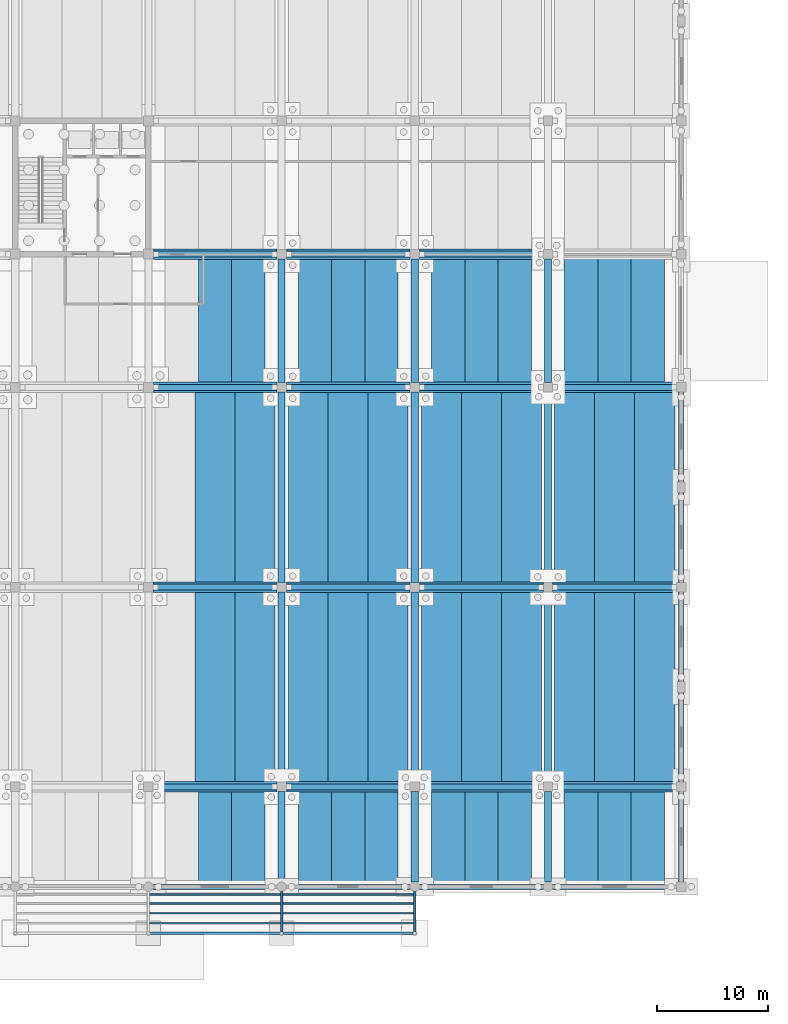
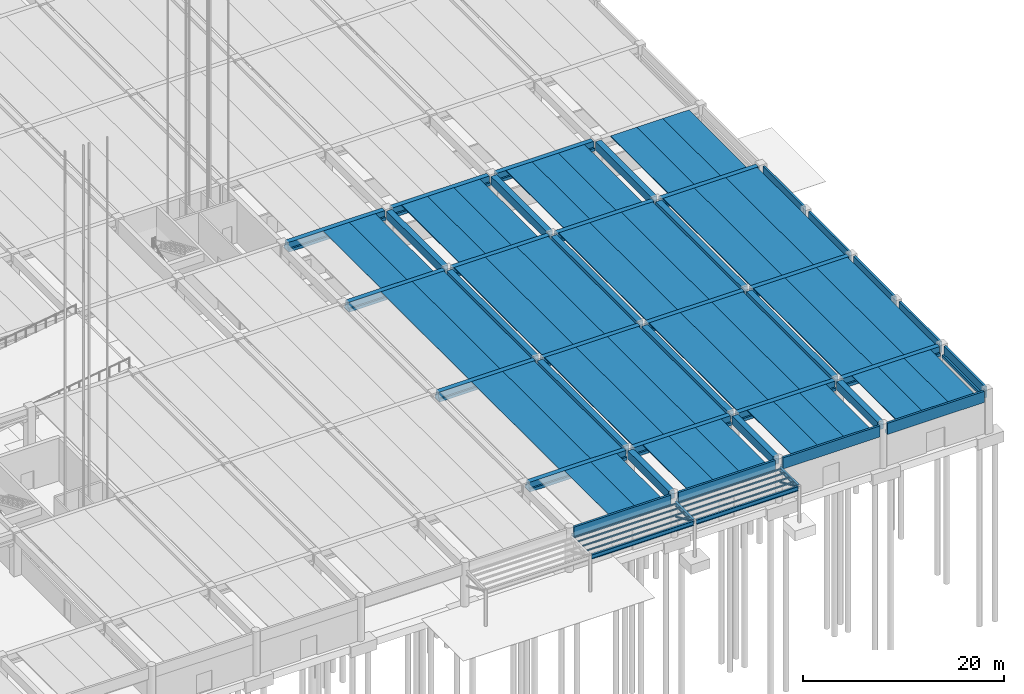
# One storey, part 22 of 59: 84 beams, 10 members.
"""IFC4 building model written with IfcOpenShell, lengths in metres."""

from ifc_helpers import new_model, si_unit, direction, frame, origin, origin_2d, place, context, subcontext, project, spatial, polyline, rectangle, hollow_rectangle, hollow_circle, i_section, outline, extrude, material, material_profile, profile_set, type_object, element, save


model = new_model("IFC4")

# Units and contexts
model_context = context("Model", 3, precision=1e-05, world=origin(), true_north=direction((0.0, 1.0)))
body_context = subcontext(model_context, "Body", "Model", "MODEL_VIEW")
ifc_project = project(units=[si_unit("LENGTHUNIT", "METRE"), si_unit("AREAUNIT", "SQUARE_METRE"), si_unit("VOLUMEUNIT", "CUBIC_METRE"), si_unit("PLANEANGLEUNIT", "RADIAN"), si_unit("MASSUNIT", "GRAM", prefix="KILO")], contexts=[model_context])

# Site, building, storey
site_placement = place(None, origin())
site = spatial("IfcSite", under=ifc_project, at=site_placement, CompositionType="ELEMENT")
building_placement = place(site_placement, origin())
building = spatial("IfcBuilding", under=site, at=building_placement, Name="Girod Span Mobility Hub", CompositionType="ELEMENT")
storey_placement = place(building_placement, origin())
storey = spatial("IfcBuildingStorey", under=building, at=storey_placement, Name="L00", CompositionType="ELEMENT", Elevation=0.0)

# Beams
ifc_material_1 = material(Name="Concrete C50/60", Category="concrete")
ifc_material_profile_1 = material_profile(ifc_material_1, outline(polyline([(-1.5, 0.35009765625), (-1.5, 0.2548828125), (-0.840087890625, 0.2548828125), (-0.81494140625, -0.35009765625), (-0.68505859375, -0.35009765625), (-0.659912109375, 0.2548828125), (0.659912109375, 0.2548828125), (0.68505859375, -0.35009765625), (0.81494140625, -0.35009765625), (0.840087890625, 0.2548828125), (1.5, 0.2548828125), (1.5, 0.35009765625), (-1.5, 0.35009765625)])), Name="DT-3000X700")
ifc_profile_set_1 = profile_set([ifc_material_profile_1], Name="Concrete C50/60")
beam_type_1 = type_object("IfcBeamType", Name="BM-DT-3000X700", PredefinedType="JOIST", material=ifc_profile_set_1)
for number, where, z_axis, x_axis, name in (
    (1, (126.0, 0.02197265625, 4.85009765625), (0.0, 1.0, 0.0), (-1.0, 0.0, 0.0), "Double-Tee Deck 11/A-2 L00"),
    (2, (129.0, 0.02197265625, 4.85009765625), (0.0, 1.0, 0.0), (-1.0, 0.0, 0.0), "Double-Tee Deck 11/A-3 L00"),
):
    element("IfcBeam", number, at=place(storey_placement, frame(where, z_axis=z_axis, x_axis=x_axis)), inside=storey, type_object=beam_type_1, Name=name, PredefinedType="JOIST", context=body_context, shape_type="SweptSolid", body=[
        extrude(outline(polyline([(-1.5, 0.35009765625), (-1.5, 0.2548828125), (-0.840087890625, 0.2548828125), (-0.81494140625, -0.35009765625), (-0.68505859375, -0.35009765625), (-0.659912109375, 0.2548828125), (0.659912109375, 0.2548828125), (0.68505859375, -0.35009765625), (0.81494140625, -0.35009765625), (0.840087890625, 0.2548828125), (1.5, 0.2548828125), (1.5, 0.35009765625), (-1.5, 0.35009765625)])), origin(), (0.0, 0.0, 1.0), 8.7060546875),
    ])
for number, where, z_axis, x_axis, name in (
    (3, (126.0, 45.27197265625, 4.85009765625), (0.0, 1.0, 0.0), (-1.0, 0.0, 0.0), "Double-Tee Deck 11/D-2 L00"),
    (4, (129.0, 45.27197265625, 4.85009765625), (0.0, 1.0, 0.0), (-1.0, 0.0, 0.0), "Double-Tee Deck 11/D-3 L00"),
):
    element("IfcBeam", number, at=place(storey_placement, frame(where, z_axis=z_axis, x_axis=x_axis)), inside=storey, type_object=beam_type_1, Name=name, PredefinedType="JOIST", context=body_context, shape_type="SweptSolid", body=[
        extrude(outline(polyline([(-1.5, 0.35009765625), (-1.5, 0.2548828125), (-0.840087890625, 0.2548828125), (-0.81494140625, -0.35009765625), (-0.68505859375, -0.35009765625), (-0.659912109375, 0.2548828125), (0.659912109375, 0.2548828125), (0.68505859375, -0.35009765625), (0.81494140625, -0.35009765625), (0.840087890625, 0.2548828125), (1.5, 0.2548828125), (1.5, 0.35009765625), (-1.5, 0.35009765625)])), origin(), (0.0, 0.0, 1.0), 11.4560546875),
    ])
for number, where, z_axis, x_axis, name in (
    (5, (135.0, 0.02197265625, 4.85009765625), (0.0, 1.0, 0.0), (-1.0, 0.0, 0.0), "Double-Tee Deck 12/A-1 L00"),
    (6, (138.0, 0.02197265625, 4.85009765625), (0.0, 1.0, 0.0), (-1.0, 0.0, 0.0), "Double-Tee Deck 12/A-2 L00"),
    (7, (141.0, 0.02197265625, 4.85009765625), (0.0, 1.0, 0.0), (-1.0, 0.0, 0.0), "Double-Tee Deck 12/A-3 L00"),
):
    element("IfcBeam", number, at=place(storey_placement, frame(where, z_axis=z_axis, x_axis=x_axis)), inside=storey, type_object=beam_type_1, Name=name, PredefinedType="JOIST", context=body_context, shape_type="SweptSolid", body=[
        extrude(outline(polyline([(-1.5, 0.35009765625), (-1.5, 0.2548828125), (-0.840087890625, 0.2548828125), (-0.81494140625, -0.35009765625), (-0.68505859375, -0.35009765625), (-0.659912109375, 0.2548828125), (0.659912109375, 0.2548828125), (0.68505859375, -0.35009765625), (0.81494140625, -0.35009765625), (0.840087890625, 0.2548828125), (1.5, 0.2548828125), (1.5, 0.35009765625), (-1.5, 0.35009765625)])), origin(), (0.0, 0.0, 1.0), 8.7060546875),
    ])
for number, where, z_axis, x_axis, name in (
    (8, (135.0, 45.27197265625, 4.85009765625), (0.0, 1.0, 0.0), (-1.0, 0.0, 0.0), "Double-Tee Deck 12/D-1 L00"),
    (9, (138.0, 45.27197265625, 4.85009765625), (0.0, 1.0, 0.0), (-1.0, 0.0, 0.0), "Double-Tee Deck 12/D-2 L00"),
    (10, (141.0, 45.27197265625, 4.85009765625), (0.0, 1.0, 0.0), (-1.0, 0.0, 0.0), "Double-Tee Deck 12/D-3 L00"),
):
    element("IfcBeam", number, at=place(storey_placement, frame(where, z_axis=z_axis, x_axis=x_axis)), inside=storey, type_object=beam_type_1, Name=name, PredefinedType="JOIST", context=body_context, shape_type="SweptSolid", body=[
        extrude(outline(polyline([(-1.5, 0.35009765625), (-1.5, 0.2548828125), (-0.840087890625, 0.2548828125), (-0.81494140625, -0.35009765625), (-0.68505859375, -0.35009765625), (-0.659912109375, 0.2548828125), (0.659912109375, 0.2548828125), (0.68505859375, -0.35009765625), (0.81494140625, -0.35009765625), (0.840087890625, 0.2548828125), (1.5, 0.2548828125), (1.5, 0.35009765625), (-1.5, 0.35009765625)])), origin(), (0.0, 0.0, 1.0), 11.4560546875),
    ])
for number, where, z_axis, x_axis, name in (
    (11, (147.0, 0.02197265625, 4.85009765625), (0.0, 1.0, 0.0), (-1.0, 0.0, 0.0), "Double-Tee Deck 13/A-1 L00"),
    (12, (150.0, 0.02197265625, 4.85009765625), (0.0, 1.0, 0.0), (-1.0, 0.0, 0.0), "Double-Tee Deck 13/A-2 L00"),
    (13, (153.0, 0.02197265625, 4.85009765625), (0.0, 1.0, 0.0), (-1.0, 0.0, 0.0), "Double-Tee Deck 13/A-3 L00"),
):
    element("IfcBeam", number, at=place(storey_placement, frame(where, z_axis=z_axis, x_axis=x_axis)), inside=storey, type_object=beam_type_1, Name=name, PredefinedType="JOIST", context=body_context, shape_type="SweptSolid", body=[
        extrude(outline(polyline([(-1.5, 0.35009765625), (-1.5, 0.2548828125), (-0.840087890625, 0.2548828125), (-0.81494140625, -0.35009765625), (-0.68505859375, -0.35009765625), (-0.659912109375, 0.2548828125), (0.659912109375, 0.2548828125), (0.68505859375, -0.35009765625), (0.81494140625, -0.35009765625), (0.840087890625, 0.2548828125), (1.5, 0.2548828125), (1.5, 0.35009765625), (-1.5, 0.35009765625)])), origin(), (0.0, 0.0, 1.0), 8.7060546875),
    ])
for number, where, z_axis, x_axis, name in (
    (14, (147.0, 45.27197265625, 4.85009765625), (0.0, 1.0, 0.0), (-1.0, 0.0, 0.0), "Double-Tee Deck 13/D-1 L00"),
    (15, (150.0, 45.27197265625, 4.85009765625), (0.0, 1.0, 0.0), (-1.0, 0.0, 0.0), "Double-Tee Deck 13/D-2 L00"),
    (16, (153.0, 45.27197265625, 4.85009765625), (0.0, 1.0, 0.0), (-1.0, 0.0, 0.0), "Double-Tee Deck 13/D-3 L00"),
):
    element("IfcBeam", number, at=place(storey_placement, frame(where, z_axis=z_axis, x_axis=x_axis)), inside=storey, type_object=beam_type_1, Name=name, PredefinedType="JOIST", context=body_context, shape_type="SweptSolid", body=[
        extrude(outline(polyline([(-1.5, 0.35009765625), (-1.5, 0.2548828125), (-0.840087890625, 0.2548828125), (-0.81494140625, -0.35009765625), (-0.68505859375, -0.35009765625), (-0.659912109375, 0.2548828125), (0.659912109375, 0.2548828125), (0.68505859375, -0.35009765625), (0.81494140625, -0.35009765625), (0.840087890625, 0.2548828125), (1.5, 0.2548828125), (1.5, 0.35009765625), (-1.5, 0.35009765625)])), origin(), (0.0, 0.0, 1.0), 11.4560546875),
    ])
for number, where, z_axis, x_axis, name in (
    (17, (159.0, 0.02197265625, 4.85009765625), (0.0, 1.0, 0.0), (-1.0, 0.0, 0.0), "Double-Tee Deck 14/A-1 L00"),
    (18, (162.0, 0.02197265625, 4.85009765625), (0.0, 1.0, 0.0), (-1.0, 0.0, 0.0), "Double-Tee Deck 14/A-2 L00"),
    (19, (165.0, 0.02197265625, 4.85009765625), (0.0, 1.0, 0.0), (-1.0, 0.0, 0.0), "Double-Tee Deck 14/A-3 L00"),
):
    element("IfcBeam", number, at=place(storey_placement, frame(where, z_axis=z_axis, x_axis=x_axis)), inside=storey, type_object=beam_type_1, Name=name, PredefinedType="JOIST", context=body_context, shape_type="SweptSolid", body=[
        extrude(outline(polyline([(-1.5, 0.35009765625), (-1.5, 0.2548828125), (-0.840087890625, 0.2548828125), (-0.81494140625, -0.35009765625), (-0.68505859375, -0.35009765625), (-0.659912109375, 0.2548828125), (0.659912109375, 0.2548828125), (0.68505859375, -0.35009765625), (0.81494140625, -0.35009765625), (0.840087890625, 0.2548828125), (1.5, 0.2548828125), (1.5, 0.35009765625), (-1.5, 0.35009765625)])), origin(), (0.0, 0.0, 1.0), 8.7060546875),
    ])
for number, where, z_axis, x_axis, name in (
    (20, (159.0, 45.27197265625, 4.85009765625), (0.0, 1.0, 0.0), (-1.0, 0.0, 0.0), "Double-Tee Deck 14/D-1 L00"),
    (21, (162.0, 45.27197265625, 4.85009765625), (0.0, 1.0, 0.0), (-1.0, 0.0, 0.0), "Double-Tee Deck 14/D-2 L00"),
    (22, (165.0, 45.27197265625, 4.85009765625), (0.0, 1.0, 0.0), (-1.0, 0.0, 0.0), "Double-Tee Deck 14/D-3 L00"),
):
    element("IfcBeam", number, at=place(storey_placement, frame(where, z_axis=z_axis, x_axis=x_axis)), inside=storey, type_object=beam_type_1, Name=name, PredefinedType="JOIST", context=body_context, shape_type="SweptSolid", body=[
        extrude(outline(polyline([(-1.5, 0.35009765625), (-1.5, 0.2548828125), (-0.840087890625, 0.2548828125), (-0.81494140625, -0.35009765625), (-0.68505859375, -0.35009765625), (-0.659912109375, 0.2548828125), (0.659912109375, 0.2548828125), (0.68505859375, -0.35009765625), (0.81494140625, -0.35009765625), (0.840087890625, 0.2548828125), (1.5, 0.2548828125), (1.5, 0.35009765625), (-1.5, 0.35009765625)])), origin(), (0.0, 0.0, 1.0), 11.4560546875),
    ])
ifc_material_2 = material(Name="Concrete C50/60", Category="concrete")
ifc_material_profile_2 = material_profile(ifc_material_2, outline(polyline([(-1.800048828125, 0.47509765625), (-1.800048828125, 0.364990234375), (-1.010009765625, 0.364990234375), (-0.97509765625, -0.47509765625), (-0.824951171875, -0.47509765625), (-0.7900390625, 0.364990234375), (0.7900390625, 0.364990234375), (0.824951171875, -0.47509765625), (0.97509765625, -0.47509765625), (1.010009765625, 0.364990234375), (1.800048828125, 0.364990234375), (1.800048828125, 0.47509765625), (-1.800048828125, 0.47509765625)])), Name="DT-3600X950")
ifc_profile_set_2 = profile_set([ifc_material_profile_2], Name="Concrete C50/60")
beam_type_2 = type_object("IfcBeamType", Name="BM-DT-3600X950", PredefinedType="JOIST", material=ifc_profile_set_2)
for number, where, z_axis, x_axis, name in (
    (23, (126.0, 9.27197265625, 4.72509765625), (0.0, 1.0, 0.0), (-1.0, 0.0, 0.0), "Double-Tee Deck 11/B-2 L00"),
    (24, (129.60009765625, 9.27197265625, 4.72509765625), (0.0, 1.0, 0.0), (-1.0, 0.0, 0.0), "Double-Tee Deck 11/B-3 L00"),
    (25, (126.0, 27.27197265625, 4.72509765625), (0.0, 1.0, 0.0), (-1.0, 0.0, 0.0), "Double-Tee Deck 11/C-2 L00"),
    (26, (129.60009765625, 27.27197265625, 4.72509765625), (0.0, 1.0, 0.0), (-1.0, 0.0, 0.0), "Double-Tee Deck 11/C-3 L00"),
    (27, (134.39990234375, 9.27197265625, 4.72509765625), (0.0, 1.0, 0.0), (-1.0, 0.0, 0.0), "Double-Tee Deck 12/B-1 L00"),
    (28, (138.0, 9.27197265625, 4.72509765625), (0.0, 1.0, 0.0), (-1.0, 0.0, 0.0), "Double-Tee Deck 12/B-2 L00"),
    (29, (141.60009765625, 9.27197265625, 4.72509765625), (0.0, 1.0, 0.0), (-1.0, 0.0, 0.0), "Double-Tee Deck 12/B-3 L00"),
    (30, (134.39990234375, 27.27197265625, 4.72509765625), (0.0, 1.0, 0.0), (-1.0, 0.0, 0.0), "Double-Tee Deck 12/C-1 L00"),
    (31, (138.0, 27.27197265625, 4.72509765625), (0.0, 1.0, 0.0), (-1.0, 0.0, 0.0), "Double-Tee Deck 12/C-2 L00"),
    (32, (141.60009765625, 27.27197265625, 4.72509765625), (0.0, 1.0, 0.0), (-1.0, 0.0, 0.0), "Double-Tee Deck 12/C-3 L00"),
    (33, (146.39990234375, 9.27197265625, 4.72509765625), (0.0, 1.0, 0.0), (-1.0, 0.0, 0.0), "Double-Tee Deck 13/B-1 L00"),
    (34, (150.0, 9.27197265625, 4.72509765625), (0.0, 1.0, 0.0), (-1.0, 0.0, 0.0), "Double-Tee Deck 13/B-2 L00"),
    (35, (153.60009765625, 9.27197265625, 4.72509765625), (0.0, 1.0, 0.0), (-1.0, 0.0, 0.0), "Double-Tee Deck 13/B-3 L00"),
    (36, (146.39990234375, 27.27197265625, 4.72509765625), (0.0, 1.0, 0.0), (-1.0, 0.0, 0.0), "Double-Tee Deck 13/C-1 L00"),
    (37, (150.0, 27.27197265625, 4.72509765625), (0.0, 1.0, 0.0), (-1.0, 0.0, 0.0), "Double-Tee Deck 13/C-2 L00"),
    (38, (153.60009765625, 27.27197265625, 4.72509765625), (0.0, 1.0, 0.0), (-1.0, 0.0, 0.0), "Double-Tee Deck 13/C-3 L00"),
    (39, (158.39990234375, 9.27197265625, 4.72509765625), (0.0, 1.0, 0.0), (-1.0, 0.0, 0.0), "Double-Tee Deck 14/B-1 L00"),
    (40, (162.0, 9.27197265625, 4.72509765625), (0.0, 1.0, 0.0), (-1.0, 0.0, 0.0), "Double-Tee Deck 14/B-2 L00"),
    (41, (165.60009765625, 9.27197265625, 4.72509765625), (0.0, 1.0, 0.0), (-1.0, 0.0, 0.0), "Double-Tee Deck 14/B-3 L00"),
    (42, (158.39990234375, 27.27197265625, 4.72509765625), (0.0, 1.0, 0.0), (-1.0, 0.0, 0.0), "Double-Tee Deck 14/C-1 L00"),
    (43, (162.0, 27.27197265625, 4.72509765625), (0.0, 1.0, 0.0), (-1.0, 0.0, 0.0), "Double-Tee Deck 14/C-2 L00"),
    (44, (165.60009765625, 27.27197265625, 4.72509765625), (0.0, 1.0, 0.0), (-1.0, 0.0, 0.0), "Double-Tee Deck 14/C-3 L00"),
):
    element("IfcBeam", number, at=place(storey_placement, frame(where, z_axis=z_axis, x_axis=x_axis)), inside=storey, type_object=beam_type_2, Name=name, PredefinedType="JOIST", context=body_context, shape_type="SweptSolid", body=[
        extrude(outline(polyline([(-1.800048828125, 0.47509765625), (-1.800048828125, 0.364990234375), (-1.010009765625, 0.364990234375), (-0.97509765625, -0.47509765625), (-0.824951171875, -0.47509765625), (-0.7900390625, 0.364990234375), (0.7900390625, 0.364990234375), (0.824951171875, -0.47509765625), (0.97509765625, -0.47509765625), (1.010009765625, 0.364990234375), (1.800048828125, 0.364990234375), (1.800048828125, 0.47509765625), (-1.800048828125, 0.47509765625)])), origin(), (0.0, 0.0, 1.0), 17.4560546875),
    ])
ifc_material_3 = material(Name="Concrete C50/60", Category="concrete")
ifc_material_profile_3 = material_profile(ifc_material_3, outline(polyline([(-0.47509765625, -0.52490234375), (0.47509765625, -0.52490234375), (0.47509765625, -0.175048828125), (0.27490234375, -0.175048828125), (0.27490234375, 0.52490234375), (-0.27490234375, 0.52490234375), (-0.27490234375, -0.175048828125), (-0.47509765625, -0.175048828125), (-0.47509765625, -0.52490234375)])), Name="IT-950X1050")
ifc_profile_set_3 = profile_set([ifc_material_profile_3], Name="Concrete C50/60")
beam_type_3 = type_object("IfcBeamType", Name="BM-IT-950X1050", PredefinedType="T_BEAM", material=ifc_profile_set_3)
for number, where, z_axis, x_axis, name in (
    (45, (120.422119140625, 9.0, 4.675048828125), (1.0, 0.0, 0.0), (0.0, 1.0, 0.0), "Girder 11-12/B L00"),
    (46, (132.422119140625, 9.0, 4.675048828125), (1.0, 0.0, 0.0), (0.0, 1.0, 0.0), "Girder 12-13/B L00"),
    (47, (144.422119140625, 9.0, 4.675048828125), (1.0, 0.0, 0.0), (0.0, 1.0, 0.0), "Girder 13-14/B L00"),
    (48, (156.422119140625, 9.0, 4.675048828125), (1.0, 0.0, 0.0), (0.0, 1.0, 0.0), "Girder 14-15/B L00"),
    (49, (120.422119140625, 27.0, 4.675048828125), (1.0, 0.0, 0.0), (0.0, 1.0, 0.0), "Girder 11-12/C L00"),
    (50, (132.422119140625, 27.0, 4.675048828125), (1.0, 0.0, 0.0), (0.0, 1.0, 0.0), "Girder 12-13/C L00"),
    (51, (144.422119140625, 27.0, 4.675048828125), (1.0, 0.0, 0.0), (0.0, 1.0, 0.0), "Girder 13-14/C L00"),
    (52, (156.422119140625, 27.0, 4.675048828125), (1.0, 0.0, 0.0), (0.0, 1.0, 0.0), "Girder 14-15/C L00"),
):
    element("IfcBeam", number, at=place(storey_placement, frame(where, z_axis=z_axis, x_axis=x_axis)), inside=storey, type_object=beam_type_3, Name=name, PredefinedType="T_BEAM", context=body_context, shape_type="SweptSolid", body=[
        extrude(outline(polyline([(-0.47509765625, -0.52490234375), (0.47509765625, -0.52490234375), (0.47509765625, -0.175048828125), (0.27490234375, -0.175048828125), (0.27490234375, 0.52490234375), (-0.27490234375, 0.52490234375), (-0.27490234375, -0.175048828125), (-0.47509765625, -0.175048828125), (-0.47509765625, -0.52490234375)])), origin(), (0.0, 0.0, 1.0), 11.15576171875),
    ])
beam_1_placement = place(storey_placement, frame((120.447021484375, 45.0, 4.675048828125), z_axis=(1.0, 0.0, 0.0), x_axis=(0.0, 1.0, 0.0)))
element("IfcBeam", 53, at=beam_1_placement, inside=storey, type_object=beam_type_3, Name="Girder 11-12/D L00", PredefinedType="T_BEAM", context=body_context, shape_type="SweptSolid", body=[
    extrude(outline(polyline([(-0.47509765625, -0.52490234375), (0.47509765625, -0.52490234375), (0.47509765625, -0.175048828125), (0.27490234375, -0.175048828125), (0.27490234375, 0.52490234375), (-0.27490234375, 0.52490234375), (-0.27490234375, -0.175048828125), (-0.47509765625, -0.175048828125), (-0.47509765625, -0.52490234375)])), origin(), (0.0, 0.0, 1.0), 11.130859375),
])
for number, where, z_axis, x_axis, name in (
    (54, (132.422119140625, 45.0, 4.675048828125), (1.0, 0.0, 0.0), (0.0, 1.0, 0.0), "Girder 12-13/D L00"),
    (55, (144.422119140625, 45.0, 4.675048828125), (1.0, 0.0, 0.0), (0.0, 1.0, 0.0), "Girder 13-14/D L00"),
    (56, (156.422119140625, 45.0, 4.675048828125), (1.0, 0.0, 0.0), (0.0, 1.0, 0.0), "Girder 14-15/D L00"),
):
    element("IfcBeam", number, at=place(storey_placement, frame(where, z_axis=z_axis, x_axis=x_axis)), inside=storey, type_object=beam_type_3, Name=name, PredefinedType="T_BEAM", context=body_context, shape_type="SweptSolid", body=[
        extrude(outline(polyline([(-0.47509765625, -0.52490234375), (0.47509765625, -0.52490234375), (0.47509765625, -0.175048828125), (0.27490234375, -0.175048828125), (0.27490234375, 0.52490234375), (-0.27490234375, 0.52490234375), (-0.27490234375, -0.175048828125), (-0.47509765625, -0.175048828125), (-0.47509765625, -0.52490234375)])), origin(), (0.0, 0.0, 1.0), 11.15576171875),
    ])
beam_2_placement = place(storey_placement, frame((120.447021484375, 57.0, 4.675048828125), z_axis=(1.0, 0.0, 0.0), x_axis=(0.0, 1.0, 0.0)))
element("IfcBeam", 57, at=beam_2_placement, inside=storey, type_object=beam_type_3, Name="Girder 11-12/E L00", PredefinedType="T_BEAM", context=body_context, shape_type="SweptSolid", body=[
    extrude(outline(polyline([(-0.47509765625, -0.52490234375), (0.47509765625, -0.52490234375), (0.47509765625, -0.175048828125), (0.27490234375, -0.175048828125), (0.27490234375, 0.52490234375), (-0.27490234375, 0.52490234375), (-0.27490234375, -0.175048828125), (-0.47509765625, -0.175048828125), (-0.47509765625, -0.52490234375)])), origin(), (0.0, 0.0, 1.0), 11.130859375),
])
for number, where, z_axis, x_axis, name in (
    (58, (132.422119140625, 57.0, 4.675048828125), (1.0, 0.0, 0.0), (0.0, 1.0, 0.0), "Girder 12-13/E L00"),
    (59, (144.422119140625, 57.0, 4.675048828125), (1.0, 0.0, 0.0), (0.0, 1.0, 0.0), "Girder 13-14/E L00"),
):
    element("IfcBeam", number, at=place(storey_placement, frame(where, z_axis=z_axis, x_axis=x_axis)), inside=storey, type_object=beam_type_3, Name=name, PredefinedType="T_BEAM", context=body_context, shape_type="SweptSolid", body=[
        extrude(outline(polyline([(-0.47509765625, -0.52490234375), (0.47509765625, -0.52490234375), (0.47509765625, -0.175048828125), (0.27490234375, -0.175048828125), (0.27490234375, 0.52490234375), (-0.27490234375, 0.52490234375), (-0.27490234375, -0.175048828125), (-0.47509765625, -0.175048828125), (-0.47509765625, -0.52490234375)])), origin(), (0.0, 0.0, 1.0), 11.15576171875),
    ])
ifc_material_4 = material(Name="Concrete C40/50", Category="concrete")
ifc_material_profile_4 = material_profile(ifc_material_4, outline(polyline([(-0.22509765625, -0.675048828125), (0.22509765625, -0.675048828125), (0.22509765625, -0.324951171875), (0.02490234375, -0.324951171875), (0.02490234375, 0.675048828125), (-0.22509765625, 0.675048828125), (-0.22509765625, -0.675048828125)])), Name="SP-450X1350")
ifc_profile_set_4 = profile_set([ifc_material_profile_4], Name="Concrete C40/50")
beam_type_4 = type_object("IfcBeamType", Name="BM-SP-450X1350", PredefinedType="SPANDREL", material=ifc_profile_set_4)
for number, where, z_axis, x_axis, name in (
    (60, (120.422119140625, 0.0, 4.52490234375), (1.0, 0.0, 0.0), (0.0, 1.0, 0.0), "Girder 11-12/A L00"),
    (61, (132.422119140625, 0.0, 4.52490234375), (1.0, 0.0, 0.0), (0.0, 1.0, 0.0), "Girder 12-13/A L00"),
    (62, (144.422119140625, 0.0, 4.52490234375), (1.0, 0.0, 0.0), (0.0, 1.0, 0.0), "Girder 13-14/A L00"),
    (63, (156.422119140625, 0.0, 4.52490234375), (1.0, 0.0, 0.0), (0.0, 1.0, 0.0), "Girder 14-15/A L00"),
):
    element("IfcBeam", number, at=place(storey_placement, frame(where, z_axis=z_axis, x_axis=x_axis)), inside=storey, type_object=beam_type_4, Name=name, PredefinedType="SPANDREL", context=body_context, shape_type="SweptSolid", body=[
        extrude(outline(polyline([(-0.22509765625, -0.675048828125), (0.22509765625, -0.675048828125), (0.22509765625, -0.324951171875), (0.02490234375, -0.324951171875), (0.02490234375, 0.675048828125), (-0.22509765625, 0.675048828125), (-0.22509765625, -0.675048828125)])), origin(), (0.0, 0.0, 1.0), 11.15576171875),
    ])
beam_3_placement = place(storey_placement, frame((168.0, 0.422119140625, 4.52490234375), z_axis=(0.0, 1.0, 0.0), x_axis=(-1.0, 0.0, 0.0)))
element("IfcBeam", 64, at=beam_3_placement, inside=storey, type_object=beam_type_4, Name="Tie Girder 15/A-B L00", PredefinedType="SPANDREL", context=body_context, shape_type="SweptSolid", body=[
    extrude(outline(polyline([(-0.22509765625, -0.675048828125), (0.22509765625, -0.675048828125), (0.22509765625, -0.324951171875), (0.02490234375, -0.324951171875), (0.02490234375, 0.675048828125), (-0.22509765625, 0.675048828125), (-0.22509765625, -0.675048828125)])), origin(), (0.0, 0.0, 1.0), 8.15576171875),
])
for number, where, z_axis, x_axis, name in (
    (65, (168.0, 9.422119140625, 4.52490234375), (0.0, 1.0, 0.0), (-1.0, 0.0, 0.0), "Perimeter Spandrel 15/B-S L00"),
    (66, (168.0, 18.471923828125, 4.52490234375), (0.0, 1.0, 0.0), (-1.0, 0.0, 0.0), "Perimeter Spandrel 15/B-N L00"),
    (67, (168.0, 27.422119140625, 4.52490234375), (0.0, 1.0, 0.0), (-1.0, 0.0, 0.0), "Perimeter Spandrel 15/C-S L00"),
    (68, (168.0, 36.471923828125, 4.52490234375), (0.0, 1.0, 0.0), (-1.0, 0.0, 0.0), "Perimeter Spandrel 15/C-N L00"),
):
    element("IfcBeam", number, at=place(storey_placement, frame(where, z_axis=z_axis, x_axis=x_axis)), inside=storey, type_object=beam_type_4, Name=name, PredefinedType="SPANDREL", context=body_context, shape_type="SweptSolid", body=[
        extrude(outline(polyline([(-0.22509765625, -0.675048828125), (0.22509765625, -0.675048828125), (0.22509765625, -0.324951171875), (0.02490234375, -0.324951171875), (0.02490234375, 0.675048828125), (-0.22509765625, 0.675048828125), (-0.22509765625, -0.675048828125)])), origin(), (0.0, 0.0, 1.0), 8.10595703125),
    ])
ifc_material_5 = material(Name="Steel A992 Grade 50", Category="steel")
ifc_material_profile_5 = material_profile(ifc_material_5, i_section(OverallWidth=0.2119140625, OverallDepth=0.5439453125, WebThickness=0.01318359375, FlangeThickness=0.021240234375, FilletRadius=0.014892578125, at=origin_2d()), Name="W21X83")
ifc_profile_set_5 = profile_set([ifc_material_profile_5], Name="Steel A992 Grade 50")
beam_type_5 = type_object("IfcBeamType", Name="BM-STL-W21X83", PredefinedType="SPANDREL", material=ifc_profile_set_5)
for number, where, z_axis, x_axis, name in (
    (69, (132.0, -4.041015625, 4.14794921875), (0.0, 1.0, 0.0), (-1.0, 0.0, 0.0), "Canopy Tie Girder E-3"),
    (70, (144.0, -4.041015625, 4.14794921875), (0.0, 1.0, 0.0), (-1.0, 0.0, 0.0), "Canopy Tie Girder E-4"),
):
    element("IfcBeam", number, at=place(storey_placement, frame(where, z_axis=z_axis, x_axis=x_axis)), inside=storey, type_object=beam_type_5, Name=name, PredefinedType="BEAM", context=body_context, shape_type="SweptSolid", body=[
        extrude(i_section(OverallWidth=0.2119140625, OverallDepth=0.5439453125, WebThickness=0.01318359375, FlangeThickness=0.021240234375, FilletRadius=0.014892578125, at=origin_2d()), origin(), (0.0, 0.0, 1.0), 3.618896484375),
    ])
for number, where, z_axis, x_axis, name in (
    (71, (120.158935546875, -4.199951171875, 4.14794921875), (1.0, 0.0, 0.0), (0.0, 1.0, 0.0), "Canopy Edge Spandrel E-2"),
    (72, (132.158935546875, -4.199951171875, 4.14794921875), (1.0, 0.0, 0.0), (0.0, 1.0, 0.0), "Canopy Edge Spandrel E-3"),
):
    element("IfcBeam", number, at=place(storey_placement, frame(where, z_axis=z_axis, x_axis=x_axis)), inside=storey, type_object=beam_type_5, Name=name, PredefinedType="SPANDREL", context=body_context, shape_type="SweptSolid", body=[
        extrude(i_section(OverallWidth=0.2119140625, OverallDepth=0.5439453125, WebThickness=0.01318359375, FlangeThickness=0.021240234375, FilletRadius=0.014892578125, at=origin_2d()), origin(), (0.0, 0.0, 1.0), 11.68212890625),
    ])
ifc_material_6 = material(Name="Concrete C40/50", Category="concrete")
ifc_material_profile_6 = material_profile(ifc_material_6, rectangle(XDim=0.64990234375, YDim=1.0, at=origin_2d()), Name="TG-650X1000")
ifc_profile_set_6 = profile_set([ifc_material_profile_6], Name="Concrete C40/50")
beam_type_6 = type_object("IfcBeamType", Name="BM-TG-650X1000", PredefinedType="T_BEAM", material=ifc_profile_set_6)
beam_4_placement = place(storey_placement, frame((132.0, 0.422119140625, 4.699951171875), z_axis=(0.0, 1.0, 0.0), x_axis=(-1.0, 0.0, 0.0)))
element("IfcBeam", 73, at=beam_4_placement, inside=storey, type_object=beam_type_6, Name="Tie Girder 12/A-B L00", PredefinedType="T_BEAM", context=body_context, shape_type="SweptSolid", body=[
    extrude(rectangle(XDim=0.64990234375, YDim=1.0, at=origin_2d()), origin(), (0.0, 0.0, 1.0), 8.15576171875),
])
for number, where, z_axis, x_axis, name in (
    (74, (132.0, 9.422119140625, 4.699951171875), (0.0, 1.0, 0.0), (-1.0, 0.0, 0.0), "Tie Girder 12/B-C L00"),
    (75, (132.0, 27.422119140625, 4.699951171875), (0.0, 1.0, 0.0), (-1.0, 0.0, 0.0), "Tie Girder 12/C-D L00"),
):
    element("IfcBeam", number, at=place(storey_placement, frame(where, z_axis=z_axis, x_axis=x_axis)), inside=storey, type_object=beam_type_6, Name=name, PredefinedType="T_BEAM", context=body_context, shape_type="SweptSolid", body=[
        extrude(rectangle(XDim=0.64990234375, YDim=1.0, at=origin_2d()), origin(), (0.0, 0.0, 1.0), 17.15576171875),
    ])
beam_5_placement = place(storey_placement, frame((132.0, 45.422119140625, 4.699951171875), z_axis=(0.0, 1.0, 0.0), x_axis=(-1.0, 0.0, 0.0)))
element("IfcBeam", 76, at=beam_5_placement, inside=storey, type_object=beam_type_6, Name="Tie Girder 12/D-E L00", PredefinedType="T_BEAM", context=body_context, shape_type="SweptSolid", body=[
    extrude(rectangle(XDim=0.64990234375, YDim=1.0, at=origin_2d()), origin(), (0.0, 0.0, 1.0), 11.15576171875),
])
beam_6_placement = place(storey_placement, frame((144.0, 0.422119140625, 4.699951171875), z_axis=(0.0, 1.0, 0.0), x_axis=(-1.0, 0.0, 0.0)))
element("IfcBeam", 77, at=beam_6_placement, inside=storey, type_object=beam_type_6, Name="Tie Girder 13/A-B L00", PredefinedType="T_BEAM", context=body_context, shape_type="SweptSolid", body=[
    extrude(rectangle(XDim=0.64990234375, YDim=1.0, at=origin_2d()), origin(), (0.0, 0.0, 1.0), 8.15576171875),
])
for number, where, z_axis, x_axis, name in (
    (78, (144.0, 9.422119140625, 4.699951171875), (0.0, 1.0, 0.0), (-1.0, 0.0, 0.0), "Tie Girder 13/B-C L00"),
    (79, (144.0, 27.422119140625, 4.699951171875), (0.0, 1.0, 0.0), (-1.0, 0.0, 0.0), "Tie Girder 13/C-D L00"),
):
    element("IfcBeam", number, at=place(storey_placement, frame(where, z_axis=z_axis, x_axis=x_axis)), inside=storey, type_object=beam_type_6, Name=name, PredefinedType="T_BEAM", context=body_context, shape_type="SweptSolid", body=[
        extrude(rectangle(XDim=0.64990234375, YDim=1.0, at=origin_2d()), origin(), (0.0, 0.0, 1.0), 17.15576171875),
    ])
beam_7_placement = place(storey_placement, frame((144.0, 45.422119140625, 4.699951171875), z_axis=(0.0, 1.0, 0.0), x_axis=(-1.0, 0.0, 0.0)))
element("IfcBeam", 80, at=beam_7_placement, inside=storey, type_object=beam_type_6, Name="Tie Girder 13/D-E L00", PredefinedType="T_BEAM", context=body_context, shape_type="SweptSolid", body=[
    extrude(rectangle(XDim=0.64990234375, YDim=1.0, at=origin_2d()), origin(), (0.0, 0.0, 1.0), 11.15576171875),
])
beam_8_placement = place(storey_placement, frame((156.0, 0.422119140625, 4.699951171875), z_axis=(0.0, 1.0, 0.0), x_axis=(-1.0, 0.0, 0.0)))
element("IfcBeam", 81, at=beam_8_placement, inside=storey, type_object=beam_type_6, Name="Tie Girder 14/A-B L00", PredefinedType="T_BEAM", context=body_context, shape_type="SweptSolid", body=[
    extrude(rectangle(XDim=0.64990234375, YDim=1.0, at=origin_2d()), origin(), (0.0, 0.0, 1.0), 8.15576171875),
])
for number, where, z_axis, x_axis, name in (
    (82, (156.0, 9.422119140625, 4.699951171875), (0.0, 1.0, 0.0), (-1.0, 0.0, 0.0), "Tie Girder 14/B-C L00"),
    (83, (156.0, 27.422119140625, 4.699951171875), (0.0, 1.0, 0.0), (-1.0, 0.0, 0.0), "Tie Girder 14/C-D L00"),
):
    element("IfcBeam", number, at=place(storey_placement, frame(where, z_axis=z_axis, x_axis=x_axis)), inside=storey, type_object=beam_type_6, Name=name, PredefinedType="T_BEAM", context=body_context, shape_type="SweptSolid", body=[
        extrude(rectangle(XDim=0.64990234375, YDim=1.0, at=origin_2d()), origin(), (0.0, 0.0, 1.0), 17.15576171875),
    ])
beam_9_placement = place(storey_placement, frame((156.0, 45.422119140625, 4.699951171875), z_axis=(0.0, 1.0, 0.0), x_axis=(-1.0, 0.0, 0.0)))
element("IfcBeam", 84, at=beam_9_placement, inside=storey, type_object=beam_type_6, Name="Tie Girder 14/D-E L00", PredefinedType="T_BEAM", context=body_context, shape_type="SweptSolid", body=[
    extrude(rectangle(XDim=0.64990234375, YDim=1.0, at=origin_2d()), origin(), (0.0, 0.0, 1.0), 11.15576171875),
])

# Members
ifc_material_7 = material(Name="Steel HSS A500 Grade C", Category="steel")
ifc_material_profile_7 = material_profile(ifc_material_7, hollow_rectangle(XDim=0.152099609375, YDim=0.152099609375, WallThickness=0.0087890625, InnerFilletRadius=0.0087890625, OuterFilletRadius=0.017578125, at=origin_2d()), Name="HSS152X152X9.5")
ifc_profile_set_7 = profile_set([ifc_material_profile_7], Name="Steel HSS A500 Grade C")
member_type_1 = type_object("IfcMemberType", Name="MB-PR-HSS152", PredefinedType="PURLIN", material=ifc_profile_set_7)
for number, where, z_axis, x_axis, name in (
    (85, (120.10302734375, -3.300048828125, 4.343994140625), (1.0, 0.0, 0.0), (0.0, 1.0, 0.0), "Canopy Purlin E-2-1"),
    (86, (120.10302734375, -2.39990234375, 4.343994140625), (1.0, 0.0, 0.0), (0.0, 1.0, 0.0), "Canopy Purlin E-2-2"),
    (87, (120.10302734375, -1.5, 4.343994140625), (1.0, 0.0, 0.0), (0.0, 1.0, 0.0), "Canopy Purlin E-2-3"),
    (88, (120.10302734375, -0.699951171875, 4.343994140625), (1.0, 0.0, 0.0), (0.0, 1.0, 0.0), "Canopy Purlin E-2-4"),
    (89, (132.10302734375, -3.300048828125, 4.343994140625), (1.0, 0.0, 0.0), (0.0, 1.0, 0.0), "Canopy Purlin E-3-1"),
    (90, (132.10302734375, -2.39990234375, 4.343994140625), (1.0, 0.0, 0.0), (0.0, 1.0, 0.0), "Canopy Purlin E-3-2"),
    (91, (132.10302734375, -1.5, 4.343994140625), (1.0, 0.0, 0.0), (0.0, 1.0, 0.0), "Canopy Purlin E-3-3"),
    (92, (132.10302734375, -0.699951171875, 4.343994140625), (1.0, 0.0, 0.0), (0.0, 1.0, 0.0), "Canopy Purlin E-3-4"),
):
    element("IfcMember", number, at=place(storey_placement, frame(where, z_axis=z_axis, x_axis=x_axis)), inside=storey, type_object=member_type_1, Name=name, PredefinedType="PURLIN", context=body_context, shape_type="SweptSolid", body=[
        extrude(hollow_rectangle(XDim=0.152099609375, YDim=0.152099609375, WallThickness=0.0087890625, InnerFilletRadius=0.0087890625, OuterFilletRadius=0.017578125, at=origin_2d()), origin(), (0.0, 0.0, 1.0), 11.7939453125),
    ])
ifc_material_8 = material(Name="Steel HSS A500 Grade C", Category="steel")
ifc_material_profile_8 = material_profile(ifc_material_8, hollow_circle(Radius=0.109619140625, WallThickness=0.0087890625, at=origin_2d()), Name="HSS219X9.5")
ifc_profile_set_8 = profile_set([ifc_material_profile_8], Name="Steel HSS A500 Grade C")
member_type_2 = type_object("IfcMemberType", Name="MB-ST-HSS219", PredefinedType="STRUT", material=ifc_profile_set_8)
for number, where, z_axis, x_axis, name in (
    (93, (132.0, -0.4150390625, 2.550048828125), (0.0, -0.915193473082, 0.403014772469), (1.0, 0.0, 0.0), "Canopy Bracing Strut E-3"),
    (94, (144.0, -0.4150390625, 2.550048828125), (0.0, -0.915193473082, 0.403014772469), (1.0, 0.0, 0.0), "Canopy Bracing Strut E-4"),
):
    element("IfcMember", number, at=place(storey_placement, frame(where, z_axis=z_axis, x_axis=x_axis)), inside=storey, type_object=member_type_2, Name=name, PredefinedType="STRUT", context=body_context, shape_type="SweptSolid", body=[
        extrude(hollow_circle(Radius=0.109619140625, WallThickness=0.0087890625, at=origin_2d()), origin(), (0.0, 0.0, 1.0), 3.9697265625),
    ])

save(model, "model.ifc")
